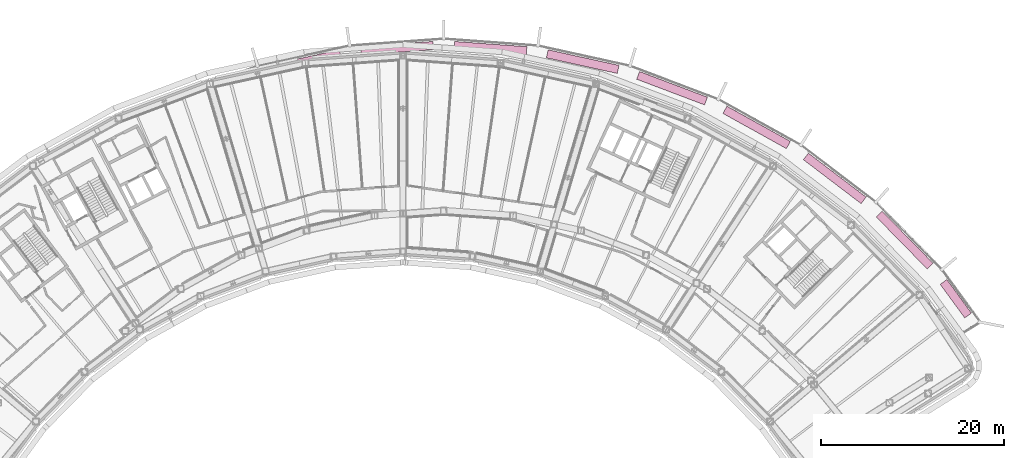
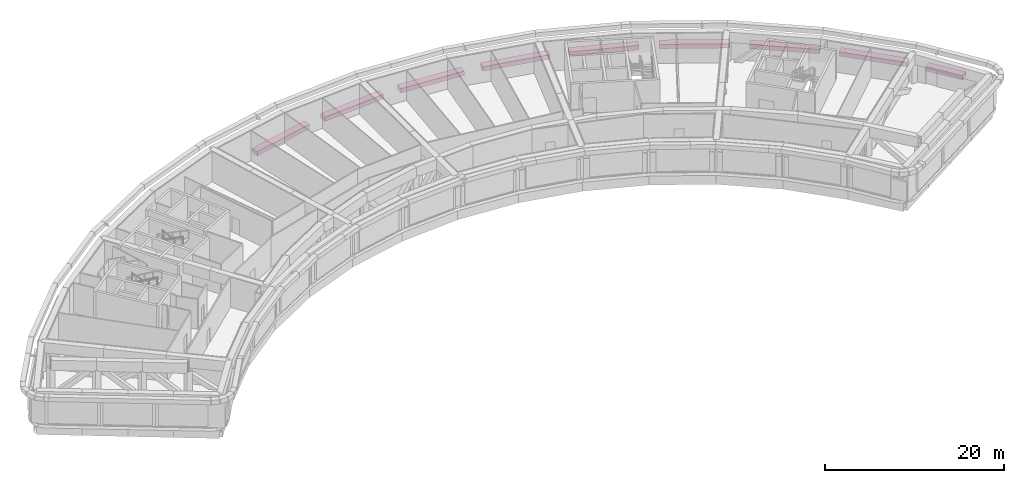
# One storey, part 25 of 25: 9 furnishings.
"""IFC4 building model written with IfcOpenShell, lengths in metres."""

from ifc_helpers import new_model, si_unit, direction, frame, origin, origin_2d, place, context, subcontext, project, spatial, rectangle, extrude, material, type_object, element, save


model = new_model("IFC4")

# Units and contexts
model_context = context("Model", 3, precision=1e-05, world=origin(), true_north=direction((0.0, 1.0)))
body_context = subcontext(model_context, "Body", "Model", "MODEL_VIEW")
ifc_project = project(units=[si_unit("LENGTHUNIT", "METRE"), si_unit("AREAUNIT", "SQUARE_METRE"), si_unit("VOLUMEUNIT", "CUBIC_METRE"), si_unit("PLANEANGLEUNIT", "RADIAN"), si_unit("MASSUNIT", "GRAM", prefix="KILO")], contexts=[model_context])

# Site, building, storey
site_placement = place(None, origin())
site = spatial("IfcSite", under=ifc_project, at=site_placement, CompositionType="ELEMENT")
building_placement = place(site_placement, origin())
building = spatial("IfcBuilding", under=site, at=building_placement, Name="Tuul Gate Civic Tower", CompositionType="ELEMENT")
storey_placement = place(building_placement, frame((0.0, 0.0, 133.699951171875)))
storey = spatial("IfcBuildingStorey", under=building, at=storey_placement, Name="Plant and refuge floor 4", CompositionType="ELEMENT", Elevation=133.699951171875)

# Furnishings
ifc_material = material(Name="Planting soil")
furnishing_element_type = type_object("IfcFurnishingElementType", Name="Planter", material=ifc_material)
furnishing_1_placement = place(storey_placement, frame((65.72802734375, -17.292724609375, 0.0), z_axis=(0.0, 0.0, 1.0), x_axis=(-0.58976373376, 0.807575840613, 0.0)))
element("IfcFurnishingElement", 1, at=furnishing_1_placement, inside=storey, type_object=furnishing_element_type, Name="Planter", context=body_context, shape_type="SweptSolid", body=[
    extrude(rectangle(XDim=4.541748046875, YDim=0.89990234375, at=origin_2d()), origin(), (0.0, 0.0, 1.0), 0.60009765625),
])
furnishing_2_placement = place(storey_placement, frame((60.142578125, -10.89208984375, 0.0), z_axis=(0.0, 0.0, 1.0), x_axis=(-0.6999997359, 0.714143101724, 0.0)))
element("IfcFurnishingElement", 2, at=furnishing_2_placement, inside=storey, type_object=furnishing_element_type, Name="Planter", context=body_context, shape_type="SweptSolid", body=[
    extrude(rectangle(XDim=7.9228515625, YDim=0.89990234375, at=origin_2d()), origin(), (0.0, 0.0, 1.0), 0.60009765625),
])
furnishing_3_placement = place(storey_placement, frame((52.509765625, -4.156005859375, 0.0), z_axis=(0.0, 0.0, 1.0), x_axis=(-0.795642936525, 0.60576589336, 0.0)))
element("IfcFurnishingElement", 3, at=furnishing_3_placement, inside=storey, type_object=furnishing_element_type, Name="Planter", context=body_context, shape_type="SweptSolid", body=[
    extrude(rectangle(XDim=7.92236328125, YDim=0.89990234375, at=origin_2d()), origin(), (0.0, 0.0, 1.0), 0.60009765625),
])
furnishing_4_placement = place(storey_placement, frame((43.986083984375, 1.4091796875, 0.0), z_axis=(0.0, 0.0, 1.0), x_axis=(-0.874632117624, 0.484787230463, 0.0)))
element("IfcFurnishingElement", 4, at=furnishing_4_placement, inside=storey, type_object=furnishing_element_type, Name="Planter", context=body_context, shape_type="SweptSolid", body=[
    extrude(rectangle(XDim=7.922119140625, YDim=0.89990234375, at=origin_2d()), origin(), (0.0, 0.0, 1.0), 0.60009765625),
])
furnishing_5_placement = place(storey_placement, frame((34.74951171875, 5.688720703125, 0.0), z_axis=(0.0, 0.0, 1.0), x_axis=(-0.935326115651, 0.353786739973, 0.0)))
element("IfcFurnishingElement", 5, at=furnishing_5_placement, inside=storey, type_object=furnishing_element_type, Name="Planter", context=body_context, shape_type="SweptSolid", body=[
    extrude(rectangle(XDim=7.922607421875, YDim=0.89990234375, at=origin_2d()), origin(), (0.0, 0.0, 1.0), 0.60009765625),
])
furnishing_6_placement = place(storey_placement, frame((24.992431640625, 8.59228515625, 0.0), z_axis=(0.0, 0.0, 1.0), x_axis=(-0.976579778699, 0.215155608423, 0.0)))
element("IfcFurnishingElement", 6, at=furnishing_6_placement, inside=storey, type_object=furnishing_element_type, Name="Planter", context=body_context, shape_type="SweptSolid", body=[
    extrude(rectangle(XDim=7.9228515625, YDim=0.89990234375, at=origin_2d()), origin(), (0.0, 0.0, 1.0), 0.60009765625),
])
furnishing_7_placement = place(storey_placement, frame((14.918701171875, 10.05908203125, 0.0), z_axis=(0.0, 0.0, 1.0), x_axis=(-0.997384897195, 0.072272863839, 0.0)))
element("IfcFurnishingElement", 7, at=furnishing_7_placement, inside=storey, type_object=furnishing_element_type, Name="Planter", context=body_context, shape_type="SweptSolid", body=[
    extrude(rectangle(XDim=7.921875, YDim=0.89990234375, at=origin_2d()), origin(), (0.0, 0.0, 1.0), 0.60009765625),
])
furnishing_8_placement = place(storey_placement, frame((4.73876953125, 10.05908203125, 0.0), z_axis=(0.0, 0.0, 1.0), x_axis=(-0.997385403163, -0.072265881002, 0.0)))
element("IfcFurnishingElement", 8, at=furnishing_8_placement, inside=storey, type_object=furnishing_element_type, Name="Planter", context=body_context, shape_type="SweptSolid", body=[
    extrude(rectangle(XDim=7.923095703125, YDim=0.89990234375, at=origin_2d()), origin(), (0.0, 0.0, 1.0), 0.60009765625),
])
furnishing_9_placement = place(storey_placement, frame((-5.3349609375, 8.59228515625, 0.0), z_axis=(0.0, 0.0, 1.0), x_axis=(-0.976575293612, -0.215175964985, 0.0)))
element("IfcFurnishingElement", 9, at=furnishing_9_placement, inside=storey, type_object=furnishing_element_type, Name="Planter", context=body_context, shape_type="SweptSolid", body=[
    extrude(rectangle(XDim=7.921875, YDim=0.89990234375, at=origin_2d()), origin(), (0.0, 0.0, 1.0), 0.60009765625),
])

save(model, "model.ifc")
